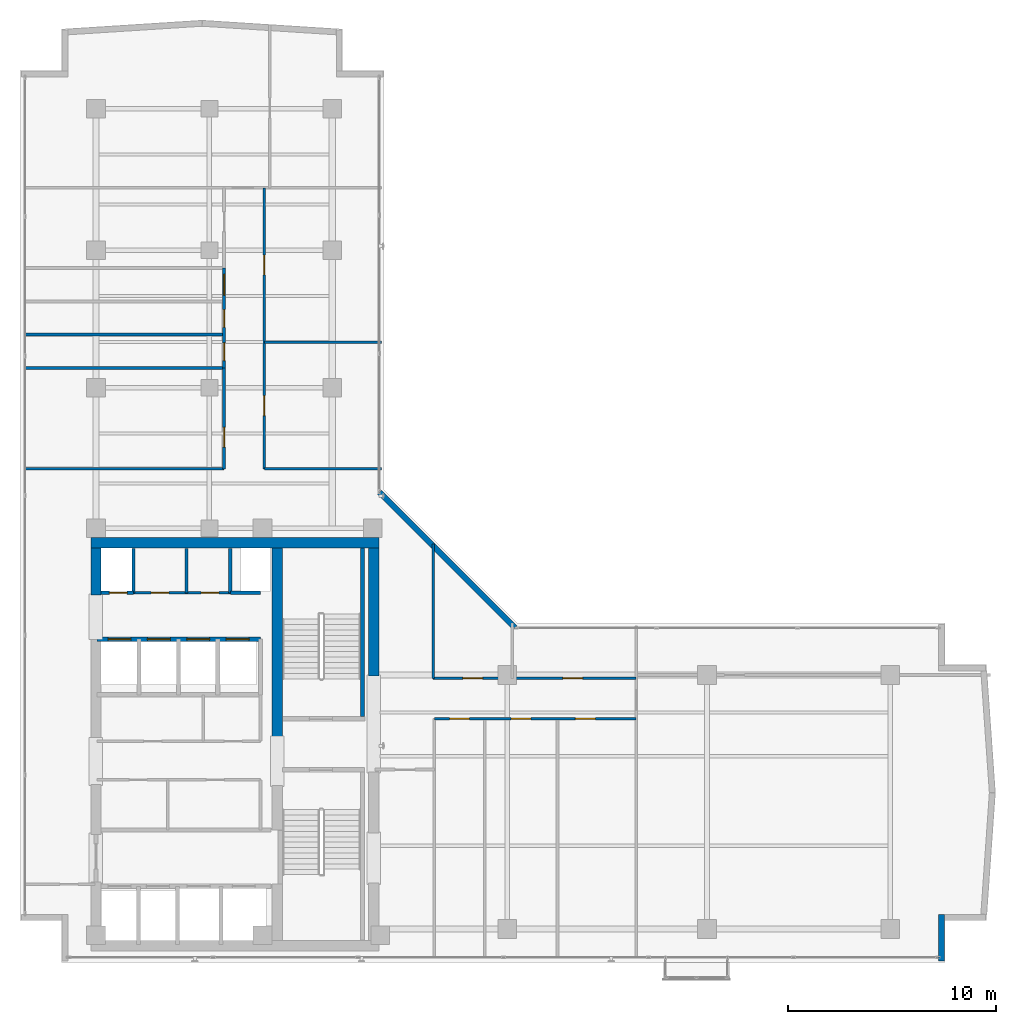
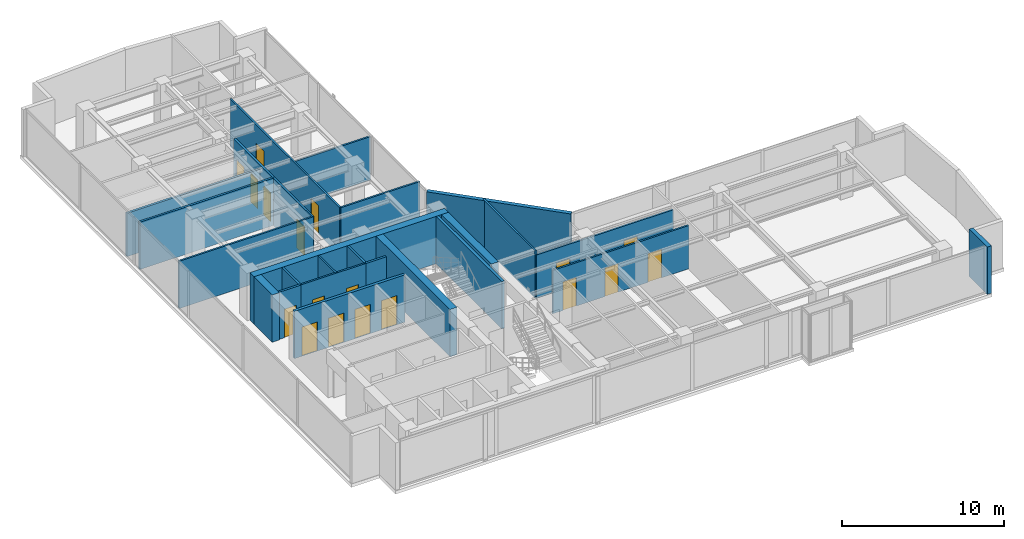
# One storey, part 18 of 24: 25 walls, 18 doors, 18 openings.
"""IFC4 building model written with IfcOpenShell, lengths in metres."""

from ifc_helpers import new_model, si_unit, direction, frame, frame_2d, origin, place, context, subcontext, project, spatial, rectangle, extrude, material, layer, layer_set, type_object, element, fill, save


model = new_model("IFC4")

# Units and contexts
model_context = context("Model", 3, precision=1e-05, world=origin(), true_north=direction((0.0, 1.0)))
body_context = subcontext(model_context, "Body", "Model", "MODEL_VIEW")
ifc_project = project(units=[si_unit("LENGTHUNIT", "METRE"), si_unit("AREAUNIT", "SQUARE_METRE"), si_unit("VOLUMEUNIT", "CUBIC_METRE"), si_unit("PLANEANGLEUNIT", "RADIAN"), si_unit("MASSUNIT", "GRAM", prefix="KILO")], contexts=[model_context])

# Site, building, storey
site_placement = place(None, origin())
site = spatial("IfcSite", under=ifc_project, at=site_placement, CompositionType="ELEMENT")
building_placement = place(site_placement, origin())
building = spatial("IfcBuilding", under=site, at=building_placement, Name="Kolvaren Waterfront Exchange", CompositionType="ELEMENT")
storey_placement = place(building_placement, frame((0.0, 0.0, 300.800048828125)))
storey = spatial("IfcBuildingStorey", under=building, at=storey_placement, Name="L77", CompositionType="ELEMENT", Elevation=300.800048828125)

# Walls
ifc_material_1 = material(Name="Precast concrete C40/50", Category="concrete")
ifc_layer_1 = layer(ifc_material_1, 0.280029296875, Name="Precast concrete C40/50")
ifc_layer_set_1 = layer_set([ifc_layer_1], Name="Precast concrete C40/50")
wall_type_1 = type_object("IfcWallType", Name="ARC-EXT-TERR-280", PredefinedType="SOLIDWALL", material=ifc_layer_set_1)
wall_1_placement = place(storey_placement, frame((48.071533203125, 3.659912109375, 0.0), z_axis=(0.0, 0.0, 1.0), x_axis=(0.0, 1.0, 0.0)))
element("IfcWall", 1, at=wall_1_placement, inside=storey, type_object=wall_type_1, Name="L77 notched corner spandrel pier SE-A", PredefinedType="SOLIDWALL", context=body_context, shape_type="SweptSolid", body=[
    extrude(rectangle(XDim=2.239990234375, YDim=0.280029296875, at=frame_2d((1.1201171875, 0.0))), origin(), (0.0, 0.0, 1.0), 3.56005859375),
])
wall_2_placement = place(storey_placement, frame((27.57958984375, 19.669677734375, 0.0), z_axis=(0.0, 0.0, 1.0), x_axis=(-0.707106781187, 0.707106781187, 0.0)))
element("IfcWall", 2, at=wall_2_placement, inside=storey, type_object=wall_type_1, Name="L77 notched corner spandrel pier ELBOW", PredefinedType="SOLIDWALL", context=body_context, shape_type="SweptSolid", body=[
    extrude(rectangle(XDim=9.20654296875, YDim=0.280029296875, at=frame_2d((4.603271484375, 0.0))), origin(), (0.0, 0.0, 1.0), 3.56005859375),
])

# Wall, openings, doors
ifc_material_2 = material(Name="Acoustic gypsum steel stud", Category="steel")
ifc_layer_2 = layer(ifc_material_2, 0.125, Name="Acoustic gypsum steel stud")
ifc_layer_set_2 = layer_set([ifc_layer_2], Name="Acoustic gypsum steel stud")
wall_type_2 = type_object("IfcWallType", Name="ARC-PART-125", PredefinedType="PARTITIONING", material=ifc_layer_set_2)
wall_3_placement = place(storey_placement, frame((9.25, 21.35009765625, 0.0), z_axis=(0.0, 0.0, 1.0), x_axis=(1.0, 0.0, 0.0)))
wall_3 = element("IfcWall", 3, at=wall_3_placement, inside=storey, type_object=wall_type_2, Name="L77 interior wall PW-L77-SVC-HI-S", PredefinedType="PARTITIONING", context=body_context, shape_type="SweptSolid", body=[
    extrude(rectangle(XDim=4.64990234375, YDim=0.125, at=frame_2d((2.324951171875, 0.0))), origin(), (0.0, 0.0, 1.0), 3.56005859375),
])
opening_1_placement = place(wall_3_placement, frame((0.85009765625, 0.0, 0.0)))
opening_1 = element("IfcOpeningElement", 4, at=opening_1_placement, cuts=wall_3, Name="Opening D01", PredefinedType="OPENING", context=body_context, shape_type="SweptSolid", body=[
    extrude(rectangle(XDim=0.85009765625, YDim=2.14990234375, at=frame_2d((0.425048828125, 1.074951171875))), frame((0.0, 0.072509765625, 0.0), z_axis=(0.0, -1.0, 0.0), x_axis=(1.0, 0.0, 0.0)), (0.0, 0.0, 1.0), 0.14501953125),
])
opening_2_placement = place(wall_3_placement, frame((3.25, 0.0, 0.0)))
opening_2 = element("IfcOpeningElement", 5, at=opening_2_placement, cuts=wall_3, Name="Opening D01", PredefinedType="OPENING", context=body_context, shape_type="SweptSolid", body=[
    extrude(rectangle(XDim=0.85009765625, YDim=2.14990234375, at=frame_2d((0.425048828125, 1.074951171875))), frame((0.0, 0.072509765625, 0.0), z_axis=(0.0, -1.0, 0.0), x_axis=(1.0, 0.0, 0.0)), (0.0, 0.0, 1.0), 0.14501953125),
])
ifc_material_3 = material(Name="Oak veneer timber leaf", Category="wood")
door_type_1 = type_object("IfcDoorType", Name="ARC-DR-900", OperationType="NOTDEFINED", PredefinedType="DOOR", material=ifc_material_3)
door_1_placement = place(opening_1_placement, origin())
door_1 = element("IfcDoor", 6, at=door_1_placement, inside=storey, type_object=door_type_1, Name="L77 door DR-L77-SVC-DR-1 (D01)", OperationType="SINGLE_SWING_RIGHT", OverallHeight=2.14990234375, OverallWidth=0.85009765625, PredefinedType="DOOR", context=body_context, shape_type="SweptSolid", body=[
    extrude(rectangle(XDim=0.85009765625, YDim=2.14990234375, at=frame_2d((0.425048828125, 1.074951171875))), frame((0.0, 0.02490234375, 0.0), z_axis=(0.0, -1.0, 0.0), x_axis=(1.0, 0.0, 0.0)), (0.0, 0.0, 1.0), 0.050048828125),
])
fill(opening_1, door_1)
door_2_placement = place(opening_2_placement, origin())
door_2 = element("IfcDoor", 7, at=door_2_placement, inside=storey, type_object=door_type_1, Name="L77 door DR-L77-SVC-DR-2 (D01)", OperationType="SINGLE_SWING_LEFT", OverallHeight=2.14990234375, OverallWidth=0.85009765625, PredefinedType="DOOR", context=body_context, shape_type="SweptSolid", body=[
    extrude(rectangle(XDim=0.85009765625, YDim=2.14990234375, at=frame_2d((0.425048828125, 1.074951171875))), frame((0.0, 0.02490234375, 0.0), z_axis=(0.0, -1.0, 0.0), x_axis=(1.0, 0.0, 0.0)), (0.0, 0.0, 1.0), 0.050048828125),
])
fill(opening_2, door_2)

# Wall
wall_4_placement = place(storey_placement, frame((11.800048828125, 21.35009765625, 0.0), z_axis=(0.0, 0.0, 1.0), x_axis=(0.0, 1.0, 0.0)))
element("IfcWall", 8, at=wall_4_placement, inside=storey, type_object=wall_type_2, Name="L77 interior wall PW-L77-SVC-HI-M", PredefinedType="PARTITIONING", context=body_context, shape_type="SweptSolid", body=[
    extrude(rectangle(XDim=2.1298828125, YDim=0.125, at=frame_2d((1.06494140625, 0.0))), origin(), (0.0, 0.0, 1.0), 3.56005859375),
])

# Wall, opening, door
wall_5_placement = place(storey_placement, frame((13.60009765625, 27.300048828125, 0.0), z_axis=(0.0, 0.0, 1.0), x_axis=(0.0, 1.0, 0.0)))
wall_5 = element("IfcWall", 9, at=wall_5_placement, inside=storey, type_object=wall_type_2, Name="L77 interior wall PW-L77-PREWC-E", PredefinedType="PARTITIONING", context=body_context, shape_type="SweptSolid", body=[
    extrude(rectangle(XDim=4.849853515625, YDim=0.125, at=frame_2d((2.4248046875, 0.0))), origin(), (0.0, 0.0, 1.0), 3.56005859375),
])
opening_3_placement = place(wall_5_placement, frame((1.050048828125, 0.0, 0.0)))
opening_3 = element("IfcOpeningElement", 10, at=opening_3_placement, cuts=wall_5, Name="Opening D02", PredefinedType="OPENING", context=body_context, shape_type="SweptSolid", body=[
    extrude(rectangle(XDim=0.949951171875, YDim=2.14990234375, at=frame_2d((0.47509765625, 1.074951171875))), frame((0.0, 0.072509765625, 0.0), z_axis=(0.0, -1.0, 0.0), x_axis=(1.0, 0.0, 0.0)), (0.0, 0.0, 1.0), 0.14501953125),
])
ifc_material_4 = material(Name="Oak veneer acoustic timber", Category="wood")
door_type_2 = type_object("IfcDoorType", Name="ARC-DR-950", OperationType="NOTDEFINED", PredefinedType="DOOR", material=ifc_material_4)
door_3_placement = place(opening_3_placement, origin())
door_3 = element("IfcDoor", 11, at=door_3_placement, inside=storey, type_object=door_type_2, Name="L77 door DR-L77-PREWC-D (D02)", OperationType="SINGLE_SWING_RIGHT", OverallHeight=2.14990234375, OverallWidth=0.949951171875, PredefinedType="DOOR", context=body_context, shape_type="SweptSolid", body=[
    extrude(rectangle(XDim=0.949951171875, YDim=2.14990234375, at=frame_2d((0.47509765625, 1.074951171875))), frame((0.0, 0.02490234375, 0.0), z_axis=(0.0, -1.0, 0.0), x_axis=(1.0, 0.0, 0.0)), (0.0, 0.0, 1.0), 0.050048828125),
])
fill(opening_3, door_3)

# Wall
wall_6_placement = place(storey_placement, frame((4.0400390625, 27.300048828125, 0.0), z_axis=(0.0, 0.0, 1.0), x_axis=(1.0, 0.0, 0.0)))
element("IfcWall", 12, at=wall_6_placement, inside=storey, type_object=wall_type_2, Name="L77 interior wall PW-L77-PREWC-S", PredefinedType="PARTITIONING", context=body_context, shape_type="SweptSolid", body=[
    extrude(rectangle(XDim=9.56005859375, YDim=0.125, at=frame_2d((4.780029296875, 0.0))), origin(), (0.0, 0.0, 1.0), 3.56005859375),
])

# Wall, openings, doors
wall_7_placement = place(storey_placement, frame((23.699951171875, 15.300048828125, 0.0), z_axis=(0.0, 0.0, 1.0), x_axis=(1.0, 0.0, 0.0)))
wall_7 = element("IfcWall", 13, at=wall_7_placement, inside=storey, type_object=wall_type_2, Name="L77 interior wall PW-L77-ES-CORR", PredefinedType="PARTITIONING", context=body_context, shape_type="SweptSolid", body=[
    extrude(rectangle(XDim=9.699951171875, YDim=0.125, at=frame_2d((4.85009765625, 0.0))), origin(), (0.0, 0.0, 1.0), 3.260009765625),
])
opening_4_placement = place(wall_7_placement, frame((0.735107421875, 0.0, 0.0)))
opening_4 = element("IfcOpeningElement", 14, at=opening_4_placement, cuts=wall_7, Name="Opening D02", PredefinedType="OPENING", context=body_context, shape_type="SweptSolid", body=[
    extrude(rectangle(XDim=0.949951171875, YDim=2.14990234375, at=frame_2d((0.47509765625, 1.074951171875))), frame((0.0, 0.072509765625, 0.0), z_axis=(0.0, -1.0, 0.0), x_axis=(1.0, 0.0, 0.0)), (0.0, 0.0, 1.0), 0.14501953125),
])
opening_5_placement = place(wall_7_placement, frame((3.695068359375, 0.0, 0.0)))
opening_5 = element("IfcOpeningElement", 15, at=opening_5_placement, cuts=wall_7, Name="Opening D02", PredefinedType="OPENING", context=body_context, shape_type="SweptSolid", body=[
    extrude(rectangle(XDim=0.949951171875, YDim=2.14990234375, at=frame_2d((0.47509765625, 1.074951171875))), frame((0.0, 0.072509765625, 0.0), z_axis=(0.0, -1.0, 0.0), x_axis=(1.0, 0.0, 0.0)), (0.0, 0.0, 1.0), 0.14501953125),
])
opening_6_placement = place(wall_7_placement, frame((6.782958984375, 0.0, 0.0)))
opening_6 = element("IfcOpeningElement", 16, at=opening_6_placement, cuts=wall_7, Name="Opening D02", PredefinedType="OPENING", context=body_context, shape_type="SweptSolid", body=[
    extrude(rectangle(XDim=0.949951171875, YDim=2.14990234375, at=frame_2d((0.47509765625, 1.074951171875))), frame((0.0, 0.072509765625, 0.0), z_axis=(0.0, -1.0, 0.0), x_axis=(1.0, 0.0, 0.0)), (0.0, 0.0, 1.0), 0.14501953125),
])
door_4_placement = place(opening_4_placement, origin())
door_4 = element("IfcDoor", 17, at=door_4_placement, inside=storey, type_object=door_type_2, Name="L77 door DR-L77-ES-D-1 (D02)", OperationType="SINGLE_SWING_RIGHT", OverallHeight=2.14990234375, OverallWidth=0.949951171875, PredefinedType="DOOR", context=body_context, shape_type="SweptSolid", body=[
    extrude(rectangle(XDim=0.949951171875, YDim=2.14990234375, at=frame_2d((0.47509765625, 1.074951171875))), frame((0.0, 0.02490234375, 0.0), z_axis=(0.0, -1.0, 0.0), x_axis=(1.0, 0.0, 0.0)), (0.0, 0.0, 1.0), 0.050048828125),
])
fill(opening_4, door_4)
door_5_placement = place(opening_5_placement, origin())
door_5 = element("IfcDoor", 18, at=door_5_placement, inside=storey, type_object=door_type_2, Name="L77 door DR-L77-ES-D-2 (D02)", OperationType="SINGLE_SWING_LEFT", OverallHeight=2.14990234375, OverallWidth=0.949951171875, PredefinedType="DOOR", context=body_context, shape_type="SweptSolid", body=[
    extrude(rectangle(XDim=0.949951171875, YDim=2.14990234375, at=frame_2d((0.47509765625, 1.074951171875))), frame((0.0, 0.02490234375, 0.0), z_axis=(0.0, -1.0, 0.0), x_axis=(1.0, 0.0, 0.0)), (0.0, 0.0, 1.0), 0.050048828125),
])
fill(opening_5, door_5)
door_6_placement = place(opening_6_placement, origin())
door_6 = element("IfcDoor", 19, at=door_6_placement, inside=storey, type_object=door_type_2, Name="L77 door DR-L77-ES-D-3 (D02)", OperationType="SINGLE_SWING_RIGHT", OverallHeight=2.14990234375, OverallWidth=0.949951171875, PredefinedType="DOOR", context=body_context, shape_type="SweptSolid", body=[
    extrude(rectangle(XDim=0.949951171875, YDim=2.14990234375, at=frame_2d((0.47509765625, 1.074951171875))), frame((0.0, 0.02490234375, 0.0), z_axis=(0.0, -1.0, 0.0), x_axis=(1.0, 0.0, 0.0)), (0.0, 0.0, 1.0), 0.050048828125),
])
fill(opening_6, door_6)

# Wall
wall_8_placement = place(storey_placement, frame((23.64990234375, 17.239990234375, 0.0), z_axis=(0.0, 0.0, 1.0), x_axis=(0.0, 1.0, 0.0)))
element("IfcWall", 20, at=wall_8_placement, inside=storey, type_object=wall_type_2, Name="L77 interior wall PW-L77-EN-W0", PredefinedType="PARTITIONING", context=body_context, shape_type="SweptSolid", body=[
    extrude(rectangle(XDim=6.45947265625, YDim=0.125, at=frame_2d((3.229736328125, 0.0))), origin(), (0.0, 0.0, 1.0), 3.56005859375),
])

# Wall, openings, doors
wall_9_placement = place(storey_placement, frame((23.64990234375, 17.239990234375, 0.0), z_axis=(0.0, 0.0, 1.0), x_axis=(1.0, 0.0, 0.0)))
wall_9 = element("IfcWall", 21, at=wall_9_placement, inside=storey, type_object=wall_type_2, Name="L77 interior wall PW-L77-EN-CORR", PredefinedType="PARTITIONING", context=body_context, shape_type="SweptSolid", body=[
    extrude(rectangle(XDim=9.75, YDim=0.125, at=frame_2d((4.875, 0.0))), origin(), (0.0, 0.0, 1.0), 3.260009765625),
])
opening_7_placement = place(wall_9_placement, frame((1.425048828125, 0.0, 0.0)))
opening_7 = element("IfcOpeningElement", 22, at=opening_7_placement, cuts=wall_9, Name="Opening D02", PredefinedType="OPENING", context=body_context, shape_type="SweptSolid", body=[
    extrude(rectangle(XDim=0.949951171875, YDim=2.14990234375, at=frame_2d((0.47509765625, 1.074951171875))), frame((0.0, 0.072509765625, 0.0), z_axis=(0.0, -1.0, 0.0), x_axis=(1.0, 0.0, 0.0)), (0.0, 0.0, 1.0), 0.14501953125),
])
opening_8_placement = place(wall_9_placement, frame((6.2275390625, 0.0, 0.0)))
opening_8 = element("IfcOpeningElement", 23, at=opening_8_placement, cuts=wall_9, Name="Opening D02", PredefinedType="OPENING", context=body_context, shape_type="SweptSolid", body=[
    extrude(rectangle(XDim=0.949951171875, YDim=2.14990234375, at=frame_2d((0.47509765625, 1.074951171875))), frame((0.0, 0.072509765625, 0.0), z_axis=(0.0, -1.0, 0.0), x_axis=(1.0, 0.0, 0.0)), (0.0, 0.0, 1.0), 0.14501953125),
])
door_7_placement = place(opening_7_placement, origin())
door_7 = element("IfcDoor", 24, at=door_7_placement, inside=storey, type_object=door_type_2, Name="L77 door DR-L77-EN-D-1 (D02)", OperationType="SINGLE_SWING_LEFT", OverallHeight=2.14990234375, OverallWidth=0.949951171875, PredefinedType="DOOR", context=body_context, shape_type="SweptSolid", body=[
    extrude(rectangle(XDim=0.949951171875, YDim=2.14990234375, at=frame_2d((0.47509765625, 1.074951171875))), frame((0.0, 0.02490234375, 0.0), z_axis=(0.0, -1.0, 0.0), x_axis=(1.0, 0.0, 0.0)), (0.0, 0.0, 1.0), 0.050048828125),
])
fill(opening_7, door_7)
door_8_placement = place(opening_8_placement, origin())
door_8 = element("IfcDoor", 25, at=door_8_placement, inside=storey, type_object=door_type_2, Name="L77 door DR-L77-EN-D-2 (D02)", OperationType="SINGLE_SWING_RIGHT", OverallHeight=2.14990234375, OverallWidth=0.949951171875, PredefinedType="DOOR", context=body_context, shape_type="SweptSolid", body=[
    extrude(rectangle(XDim=0.949951171875, YDim=2.14990234375, at=frame_2d((0.47509765625, 1.074951171875))), frame((0.0, 0.02490234375, 0.0), z_axis=(0.0, -1.0, 0.0), x_axis=(1.0, 0.0, 0.0)), (0.0, 0.0, 1.0), 0.050048828125),
])
fill(opening_8, door_8)

# Wall
wall_10_placement = place(storey_placement, frame((15.5400390625, 27.300048828125, 0.0), z_axis=(0.0, 0.0, 1.0), x_axis=(1.0, 0.0, 0.0)))
element("IfcWall", 26, at=wall_10_placement, inside=storey, type_object=wall_type_2, Name="L77 interior wall PW-L77-NE-S0", PredefinedType="PARTITIONING", context=body_context, shape_type="SweptSolid", body=[
    extrude(rectangle(XDim=5.619873046875, YDim=0.125, at=frame_2d((2.81005859375, 0.0))), origin(), (0.0, 0.0, 1.0), 3.56005859375),
])

# Wall, openings, doors
wall_11_placement = place(storey_placement, frame((15.5400390625, 27.300048828125, 0.0), z_axis=(0.0, 0.0, 1.0), x_axis=(0.0, 1.0, 0.0)))
wall_11 = element("IfcWall", 27, at=wall_11_placement, inside=storey, type_object=wall_type_2, Name="L77 interior wall PW-L77-NE-CORR", PredefinedType="PARTITIONING", context=body_context, shape_type="SweptSolid", body=[
    extrude(rectangle(XDim=13.5, YDim=0.125, at=frame_2d((6.75, 0.0))), origin(), (0.0, 0.0, 1.0), 3.56005859375),
])
opening_9_placement = place(wall_11_placement, frame((2.56494140625, 0.0, 0.0)))
opening_9 = element("IfcOpeningElement", 28, at=opening_9_placement, cuts=wall_11, Name="Opening D02", PredefinedType="OPENING", context=body_context, shape_type="SweptSolid", body=[
    extrude(rectangle(XDim=0.949951171875, YDim=2.14990234375, at=frame_2d((0.47509765625, 1.074951171875))), frame((0.0, 0.072509765625, 0.0), z_axis=(0.0, -1.0, 0.0), x_axis=(1.0, 0.0, 0.0)), (0.0, 0.0, 1.0), 0.14501953125),
])
opening_10_placement = place(wall_11_placement, frame((9.31494140625, 0.0, 0.0)))
opening_10 = element("IfcOpeningElement", 29, at=opening_10_placement, cuts=wall_11, Name="Opening D02", PredefinedType="OPENING", context=body_context, shape_type="SweptSolid", body=[
    extrude(rectangle(XDim=0.949951171875, YDim=2.14990234375, at=frame_2d((0.47509765625, 1.074951171875))), frame((0.0, 0.072509765625, 0.0), z_axis=(0.0, -1.0, 0.0), x_axis=(1.0, 0.0, 0.0)), (0.0, 0.0, 1.0), 0.14501953125),
])
door_9_placement = place(opening_9_placement, origin())
door_9 = element("IfcDoor", 30, at=door_9_placement, inside=storey, type_object=door_type_2, Name="L77 door DR-L77-NE-D-1 (D02)", OperationType="SINGLE_SWING_RIGHT", OverallHeight=2.14990234375, OverallWidth=0.949951171875, PredefinedType="DOOR", context=body_context, shape_type="SweptSolid", body=[
    extrude(rectangle(XDim=0.949951171875, YDim=2.14990234375, at=frame_2d((0.47509765625, 1.074951171875))), frame((0.0, 0.02490234375, 0.0), z_axis=(0.0, -1.0, 0.0), x_axis=(1.0, 0.0, 0.0)), (0.0, 0.0, 1.0), 0.050048828125),
])
fill(opening_9, door_9)
door_10_placement = place(opening_10_placement, origin())
door_10 = element("IfcDoor", 31, at=door_10_placement, inside=storey, type_object=door_type_2, Name="L77 door DR-L77-NE-D-2 (D02)", OperationType="SINGLE_SWING_LEFT", OverallHeight=2.14990234375, OverallWidth=0.949951171875, PredefinedType="DOOR", context=body_context, shape_type="SweptSolid", body=[
    extrude(rectangle(XDim=0.949951171875, YDim=2.14990234375, at=frame_2d((0.47509765625, 1.074951171875))), frame((0.0, 0.02490234375, 0.0), z_axis=(0.0, -1.0, 0.0), x_axis=(1.0, 0.0, 0.0)), (0.0, 0.0, 1.0), 0.050048828125),
])
fill(opening_10, door_10)

# Walls
wall_12_placement = place(storey_placement, frame((15.5400390625, 33.3798828125, 0.0), z_axis=(0.0, 0.0, 1.0), x_axis=(1.0, 0.0, 0.0)))
element("IfcWall", 32, at=wall_12_placement, inside=storey, type_object=wall_type_2, Name="L77 interior wall PW-L77-NE-DIV-1", PredefinedType="PARTITIONING", context=body_context, shape_type="SweptSolid", body=[
    extrude(rectangle(XDim=5.619873046875, YDim=0.125, at=frame_2d((2.81005859375, 0.0))), origin(), (0.0, 0.0, 1.0), 3.260009765625),
])
ifc_material_5 = material(Name="Gypsum fireboard steel stud", Category="steel")
ifc_layer_3 = layer(ifc_material_5, 0.14990234375, Name="Gypsum fireboard steel stud")
ifc_layer_set_3 = layer_set([ifc_layer_3], Name="Gypsum fireboard steel stud")
wall_type_3 = type_object("IfcWallType", Name="ARC-PART-150", PredefinedType="PARTITIONING", material=ifc_layer_set_3)
for number, where, z_axis, x_axis, name in (
    (33, (9.25, 21.35009765625, 0.0), (0.0, 0.0, 1.0), (0.0, 1.0, 0.0), "L77 interior wall PW-L77-SVC-R1"),
    (34, (13.89990234375, 21.35009765625, 0.0), (0.0, 0.0, 1.0), (0.0, 1.0, 0.0), "L77 interior wall PW-L77-SVC-R2"),
):
    element("IfcWall", number, at=place(storey_placement, frame(where, z_axis=z_axis, x_axis=x_axis)), inside=storey, type_object=wall_type_3, Name=name, PredefinedType="PARTITIONING", context=body_context, shape_type="SweptSolid", body=[
        extrude(rectangle(XDim=2.1298828125, YDim=0.14990234375, at=frame_2d((1.06494140625, 0.0))), origin(), (0.0, 0.0, 1.0), 3.56005859375),
    ])

# Wall, opening, door
wall_13_placement = place(storey_placement, frame((7.699951171875, 21.35009765625, 0.0), z_axis=(0.0, 0.0, 1.0), x_axis=(1.0, 0.0, 0.0)))
wall_13 = element("IfcWall", 35, at=wall_13_placement, inside=storey, type_object=wall_type_3, Name="L77 interior wall PW-L77-SVC-RE-S", PredefinedType="PARTITIONING", context=body_context, shape_type="SweptSolid", body=[
    extrude(rectangle(XDim=1.550048828125, YDim=0.14990234375, at=frame_2d((0.77490234375, 0.0))), origin(), (0.0, 0.0, 1.0), 3.56005859375),
])
opening_11_placement = place(wall_13_placement, frame((0.389892578125, 0.0, 0.0)))
opening_11 = element("IfcOpeningElement", 36, at=opening_11_placement, cuts=wall_13, Name="Opening FD1", PredefinedType="OPENING", context=body_context, shape_type="SweptSolid", body=[
    extrude(rectangle(XDim=0.85009765625, YDim=2.14990234375, at=frame_2d((0.425048828125, 1.074951171875))), frame((0.0, 0.0849609375, 0.0), z_axis=(0.0, -1.0, 0.0), x_axis=(1.0, 0.0, 0.0)), (0.0, 0.0, 1.0), 0.169921875),
])
ifc_material_6 = material(Name="Pressed steel fire leaf", Category="steel")
door_type_3 = type_object("IfcDoorType", Name="ARC-FD-900", OperationType="NOTDEFINED", PredefinedType="DOOR", material=ifc_material_6)
door_11_placement = place(opening_11_placement, origin())
door_11 = element("IfcDoor", 37, at=door_11_placement, inside=storey, type_object=door_type_3, Name="L77 door DR-L77-RISER-E-DR (FD1)", OperationType="SINGLE_SWING_LEFT", OverallHeight=2.14990234375, OverallWidth=0.85009765625, PredefinedType="DOOR", context=body_context, shape_type="SweptSolid", body=[
    extrude(rectangle(XDim=0.85009765625, YDim=2.14990234375, at=frame_2d((0.425048828125, 1.074951171875))), frame((0.0, 0.02490234375, 0.0), z_axis=(0.0, -1.0, 0.0), x_axis=(1.0, 0.0, 0.0)), (0.0, 0.0, 1.0), 0.050048828125),
])
fill(opening_11, door_11)

# Walls
wall_14_placement = place(storey_placement, frame((13.89990234375, 21.35009765625, 0.0), z_axis=(0.0, 0.0, 1.0), x_axis=(1.0, 0.0, 0.0)))
element("IfcWall", 38, at=wall_14_placement, inside=storey, type_object=wall_type_3, Name="L77 interior wall PW-L77-SVC-RP-S", PredefinedType="PARTITIONING", context=body_context, shape_type="SweptSolid", body=[
    extrude(rectangle(XDim=1.4501953125, YDim=0.14990234375, at=frame_2d((0.72509765625, 0.0))), origin(), (0.0, 0.0, 1.0), 3.56005859375),
])
ifc_material_7 = material(Name="Moisture-resistant gypsum stud")
ifc_layer_4 = layer(ifc_material_7, 0.14990234375, Name="Moisture-resistant gypsum stud")
ifc_layer_set_4 = layer_set([ifc_layer_4], Name="Moisture-resistant gypsum stud")
wall_type_4 = type_object("IfcWallType", Name="ARC-PLUMB-150", PredefinedType="PLUMBINGWALL", material=ifc_layer_set_4)
wall_15_placement = place(storey_placement, frame((4.0400390625, 32.14990234375, 0.0), z_axis=(0.0, 0.0, 1.0), x_axis=(1.0, 0.0, 0.0)))
element("IfcWall", 39, at=wall_15_placement, inside=storey, type_object=wall_type_4, Name="L77 interior wall PW-L77-WC-0", PredefinedType="PLUMBINGWALL", context=body_context, shape_type="SweptSolid", body=[
    extrude(rectangle(XDim=9.56005859375, YDim=0.14990234375, at=frame_2d((4.780029296875, 0.0))), origin(), (0.0, 0.0, 1.0), 3.56005859375),
])

# Wall, openings, doors
wall_16_placement = place(storey_placement, frame((13.60009765625, 32.14990234375, 0.0), z_axis=(0.0, 0.0, 1.0), x_axis=(0.0, 1.0, 0.0)))
wall_16 = element("IfcWall", 40, at=wall_16_placement, inside=storey, type_object=wall_type_4, Name="L77 interior wall PW-L77-WC-E", PredefinedType="PLUMBINGWALL", context=body_context, shape_type="SweptSolid", body=[
    extrude(rectangle(XDim=4.800048828125, YDim=0.14990234375, at=frame_2d((2.39990234375, 0.0))), origin(), (0.0, 0.0, 1.0), 3.56005859375),
])
opening_12_placement = place(wall_16_placement, frame((0.35009765625, 0.0, 0.0)))
opening_12 = element("IfcOpeningElement", 41, at=opening_12_placement, cuts=wall_16, Name="Opening D01", PredefinedType="OPENING", context=body_context, shape_type="SweptSolid", body=[
    extrude(rectangle(XDim=0.85009765625, YDim=2.14990234375, at=frame_2d((0.425048828125, 1.074951171875))), frame((0.0, 0.0849609375, 0.0), z_axis=(0.0, -1.0, 0.0), x_axis=(1.0, 0.0, 0.0)), (0.0, 0.0, 1.0), 0.169921875),
])
opening_13_placement = place(wall_16_placement, frame((1.949951171875, 0.0, 0.0)))
opening_13 = element("IfcOpeningElement", 42, at=opening_13_placement, cuts=wall_16, Name="Opening D01", PredefinedType="OPENING", context=body_context, shape_type="SweptSolid", body=[
    extrude(rectangle(XDim=0.85009765625, YDim=2.14990234375, at=frame_2d((0.425048828125, 1.074951171875))), frame((0.0, 0.0849609375, 0.0), z_axis=(0.0, -1.0, 0.0), x_axis=(1.0, 0.0, 0.0)), (0.0, 0.0, 1.0), 0.169921875),
])
opening_14_placement = place(wall_16_placement, frame((3.5, 0.0, 0.0)))
opening_14 = element("IfcOpeningElement", 43, at=opening_14_placement, cuts=wall_16, Name="Opening D03", PredefinedType="OPENING", context=body_context, shape_type="SweptSolid", body=[
    extrude(rectangle(XDim=1.0, YDim=2.199951171875, at=frame_2d((0.5, 1.10009765625))), frame((0.0, 0.0849609375, 0.0), z_axis=(0.0, -1.0, 0.0), x_axis=(1.0, 0.0, 0.0)), (0.0, 0.0, 1.0), 0.169921875),
])
ifc_material_8 = material(Name="Oak veneer accessible timber", Category="wood")
door_type_4 = type_object("IfcDoorType", Name="ARC-DR-1000", OperationType="NOTDEFINED", PredefinedType="DOOR", material=ifc_material_8)
door_12_placement = place(opening_14_placement, origin())
door_12 = element("IfcDoor", 44, at=door_12_placement, inside=storey, type_object=door_type_4, Name="L77 door DR-L77-WCA-D (D03)", OperationType="SINGLE_SWING_LEFT", OverallHeight=2.199951171875, OverallWidth=1.0, PredefinedType="DOOR", context=body_context, shape_type="SweptSolid", body=[
    extrude(rectangle(XDim=1.0, YDim=2.199951171875, at=frame_2d((0.5, 1.10009765625))), frame((0.0, 0.02490234375, 0.0), z_axis=(0.0, -1.0, 0.0), x_axis=(1.0, 0.0, 0.0)), (0.0, 0.0, 1.0), 0.050048828125),
])
fill(opening_14, door_12)
door_13_placement = place(opening_12_placement, origin())
door_13 = element("IfcDoor", 45, at=door_13_placement, inside=storey, type_object=door_type_1, Name="L77 door DR-L77-WCM-D (D01)", OperationType="SINGLE_SWING_LEFT", OverallHeight=2.14990234375, OverallWidth=0.85009765625, PredefinedType="DOOR", context=body_context, shape_type="SweptSolid", body=[
    extrude(rectangle(XDim=0.85009765625, YDim=2.14990234375, at=frame_2d((0.425048828125, 1.074951171875))), frame((0.0, 0.02490234375, 0.0), z_axis=(0.0, -1.0, 0.0), x_axis=(1.0, 0.0, 0.0)), (0.0, 0.0, 1.0), 0.050048828125),
])
fill(opening_12, door_13)
door_14_placement = place(opening_13_placement, origin())
door_14 = element("IfcDoor", 46, at=door_14_placement, inside=storey, type_object=door_type_1, Name="L77 door DR-L77-WCF-D (D01)", OperationType="SINGLE_SWING_RIGHT", OverallHeight=2.14990234375, OverallWidth=0.85009765625, PredefinedType="DOOR", context=body_context, shape_type="SweptSolid", body=[
    extrude(rectangle(XDim=0.85009765625, YDim=2.14990234375, at=frame_2d((0.425048828125, 1.074951171875))), frame((0.0, 0.02490234375, 0.0), z_axis=(0.0, -1.0, 0.0), x_axis=(1.0, 0.0, 0.0)), (0.0, 0.0, 1.0), 0.050048828125),
])
fill(opening_13, door_14)

# Walls
wall_17_placement = place(storey_placement, frame((4.0400390625, 33.75, 0.0), z_axis=(0.0, 0.0, 1.0), x_axis=(1.0, 0.0, 0.0)))
element("IfcWall", 47, at=wall_17_placement, inside=storey, type_object=wall_type_4, Name="L77 interior wall PW-L77-WC-1", PredefinedType="PLUMBINGWALL", context=body_context, shape_type="SweptSolid", body=[
    extrude(rectangle(XDim=9.56005859375, YDim=0.14990234375, at=frame_2d((4.780029296875, 0.0))), origin(), (0.0, 0.0, 1.0), 3.260009765625),
])
ifc_material_9 = material(Name="Concrete C40/50", Category="concrete")
ifc_layer_5 = layer(ifc_material_9, 0.199951171875, Name="Concrete C40/50")
ifc_layer_set_5 = layer_set([ifc_layer_5], Name="Concrete C40/50")
wall_type_5 = type_object("IfcWallType", Name="ARC-SHAFT-200", PredefinedType="PARTITIONING", material=ifc_layer_set_5)
wall_18_placement = place(storey_placement, frame((20.260009765625, 15.39990234375, 0.0), z_axis=(0.0, 0.0, 1.0), x_axis=(0.0, 1.0, 0.0)))
element("IfcWall", 48, at=wall_18_placement, inside=storey, type_object=wall_type_5, Name="L77 structural stairwell wall PW-L77-ST2-E", PredefinedType="SHEAR", context=body_context, shape_type="SweptSolid", body=[
    extrude(rectangle(XDim=8.090087890625, YDim=0.199951171875, at=frame_2d((4.044921875, 0.0))), origin(), (0.0, 0.0, 1.0), 3.56005859375),
])

# Wall, openings, doors
wall_19_placement = place(storey_placement, frame((7.5, 19.1201171875, 0.0), z_axis=(0.0, 0.0, 1.0), x_axis=(1.0, 0.0, 0.0)))
wall_19 = element("IfcWall", 49, at=wall_19_placement, inside=storey, type_object=wall_type_5, Name="L77 interior wall PW-L77-PH-N", PredefinedType="PARTITIONING", context=body_context, shape_type="SweptSolid", body=[
    extrude(rectangle(XDim=7.85009765625, YDim=0.199951171875, at=frame_2d((3.925048828125, 0.0))), origin(), (0.0, 0.0, 1.0), 3.56005859375),
])
opening_15_placement = place(wall_19_placement, frame((0.530029296875, 0.0, 0.0)))
opening_15 = element("IfcOpeningElement", 50, at=opening_15_placement, cuts=wall_19, Name="Opening LD2", PredefinedType="OPENING", context=body_context, shape_type="SweptSolid", body=[
    extrude(rectangle(XDim=1.10009765625, YDim=2.199951171875, at=frame_2d((0.550048828125, 1.10009765625))), frame((0.0, 0.10986328125, 0.0), z_axis=(0.0, -1.0, 0.0), x_axis=(1.0, 0.0, 0.0)), (0.0, 0.0, 1.0), 0.219970703125),
])
opening_16_placement = place(wall_19_placement, frame((2.419921875, 0.0, 0.0)))
opening_16 = element("IfcOpeningElement", 51, at=opening_16_placement, cuts=wall_19, Name="Opening LD2", PredefinedType="OPENING", context=body_context, shape_type="SweptSolid", body=[
    extrude(rectangle(XDim=1.10009765625, YDim=2.199951171875, at=frame_2d((0.550048828125, 1.10009765625))), frame((0.0, 0.10986328125, 0.0), z_axis=(0.0, -1.0, 0.0), x_axis=(1.0, 0.0, 0.0)), (0.0, 0.0, 1.0), 0.219970703125),
])
opening_17_placement = place(wall_19_placement, frame((4.31005859375, 0.0, 0.0)))
opening_17 = element("IfcOpeningElement", 52, at=opening_17_placement, cuts=wall_19, Name="Opening LD2", PredefinedType="OPENING", context=body_context, shape_type="SweptSolid", body=[
    extrude(rectangle(XDim=1.10009765625, YDim=2.199951171875, at=frame_2d((0.550048828125, 1.10009765625))), frame((0.0, 0.10986328125, 0.0), z_axis=(0.0, -1.0, 0.0), x_axis=(1.0, 0.0, 0.0)), (0.0, 0.0, 1.0), 0.219970703125),
])
opening_18_placement = place(wall_19_placement, frame((6.199951171875, 0.0, 0.0)))
opening_18 = element("IfcOpeningElement", 53, at=opening_18_placement, cuts=wall_19, Name="Opening LD2", PredefinedType="OPENING", context=body_context, shape_type="SweptSolid", body=[
    extrude(rectangle(XDim=1.10009765625, YDim=2.199951171875, at=frame_2d((0.550048828125, 1.10009765625))), frame((0.0, 0.10986328125, 0.0), z_axis=(0.0, -1.0, 0.0), x_axis=(1.0, 0.0, 0.0)), (0.0, 0.0, 1.0), 0.219970703125),
])
ifc_material_10 = material(Name="Brushed bronze sliding landing door", Category="aluminium")
door_type_5 = type_object("IfcDoorType", Name="ARC-LD-PAX", OperationType="SLIDING_TO_LEFT", PredefinedType="DOOR", material=ifc_material_10)
door_15_placement = place(opening_15_placement, origin())
door_15 = element("IfcDoor", 54, at=door_15_placement, inside=storey, type_object=door_type_5, Name="L77 door LD-L77-PH1 (LD2)", OperationType="SLIDING_TO_LEFT", OverallHeight=2.199951171875, OverallWidth=1.10009765625, PredefinedType="DOOR", context=body_context, shape_type="SweptSolid", body=[
    extrude(rectangle(XDim=1.10009765625, YDim=2.199951171875, at=frame_2d((0.550048828125, 1.10009765625))), frame((0.0, 0.02490234375, 0.0), z_axis=(0.0, -1.0, 0.0), x_axis=(1.0, 0.0, 0.0)), (0.0, 0.0, 1.0), 0.050048828125),
])
fill(opening_15, door_15)
door_16_placement = place(opening_16_placement, origin())
door_16 = element("IfcDoor", 55, at=door_16_placement, inside=storey, type_object=door_type_5, Name="L77 door LD-L77-PH2 (LD2)", OperationType="SLIDING_TO_LEFT", OverallHeight=2.199951171875, OverallWidth=1.10009765625, PredefinedType="DOOR", context=body_context, shape_type="SweptSolid", body=[
    extrude(rectangle(XDim=1.10009765625, YDim=2.199951171875, at=frame_2d((0.550048828125, 1.10009765625))), frame((0.0, 0.02490234375, 0.0), z_axis=(0.0, -1.0, 0.0), x_axis=(1.0, 0.0, 0.0)), (0.0, 0.0, 1.0), 0.050048828125),
])
fill(opening_16, door_16)
door_17_placement = place(opening_17_placement, origin())
door_17 = element("IfcDoor", 56, at=door_17_placement, inside=storey, type_object=door_type_5, Name="L77 door LD-L77-PH3 (LD2)", OperationType="SLIDING_TO_LEFT", OverallHeight=2.199951171875, OverallWidth=1.10009765625, PredefinedType="DOOR", context=body_context, shape_type="SweptSolid", body=[
    extrude(rectangle(XDim=1.10009765625, YDim=2.199951171875, at=frame_2d((0.550048828125, 1.10009765625))), frame((0.0, 0.02490234375, 0.0), z_axis=(0.0, -1.0, 0.0), x_axis=(1.0, 0.0, 0.0)), (0.0, 0.0, 1.0), 0.050048828125),
])
fill(opening_17, door_17)
door_18_placement = place(opening_18_placement, origin())
door_18 = element("IfcDoor", 57, at=door_18_placement, inside=storey, type_object=door_type_5, Name="L77 door LD-L77-PH4 (LD2)", OperationType="SLIDING_TO_LEFT", OverallHeight=2.199951171875, OverallWidth=1.10009765625, PredefinedType="DOOR", context=body_context, shape_type="SweptSolid", body=[
    extrude(rectangle(XDim=1.10009765625, YDim=2.199951171875, at=frame_2d((0.550048828125, 1.10009765625))), frame((0.0, 0.02490234375, 0.0), z_axis=(0.0, -1.0, 0.0), x_axis=(1.0, 0.0, 0.0)), (0.0, 0.0, 1.0), 0.050048828125),
])
fill(opening_18, door_18)

# Walls
ifc_material_11 = material(Name="Concrete C50/60", Category="concrete")
ifc_layer_6 = layer(ifc_material_11, 0.5, Name="Concrete C50/60")
ifc_layer_set_6 = layer_set([ifc_layer_6], Name="Concrete C50/60")
wall_type_6 = type_object("IfcWallType", Name="STR-CWALL-500", PredefinedType="SHEAR", material=ifc_layer_set_6)
wall_20_placement = place(storey_placement, frame((7.199951171875, 23.75, 0.0), z_axis=(0.0, 0.0, 1.0), x_axis=(1.0, 0.0, 0.0)))
element("IfcWall", 58, at=wall_20_placement, inside=storey, type_object=wall_type_6, Name="L77 rear-core shear wall N", PredefinedType="SHEAR", context=body_context, shape_type="SweptSolid", body=[
    extrude(rectangle(XDim=13.85009765625, YDim=0.5, at=frame_2d((6.925048828125, 0.0))), origin(), (0.0, 0.0, 1.0), 3.56005859375),
])
wall_21_placement = place(storey_placement, frame((7.449951171875, 21.239990234375, 0.0), z_axis=(0.0, 0.0, 1.0), x_axis=(0.0, 1.0, 0.0)))
element("IfcWall", 59, at=wall_21_placement, inside=storey, type_object=wall_type_6, Name="L77 rear-core shear wall W3", PredefinedType="SHEAR", context=body_context, shape_type="SweptSolid", body=[
    extrude(rectangle(XDim=2.260009765625, YDim=0.5, at=frame_2d((1.1298828125, 0.0))), origin(), (0.0, 0.0, 1.0), 3.56005859375),
])
wall_22_placement = place(storey_placement, frame((20.800048828125, 17.35009765625, 0.0), z_axis=(0.0, 0.0, 1.0), x_axis=(0.0, 1.0, 0.0)))
element("IfcWall", 60, at=wall_22_placement, inside=storey, type_object=wall_type_6, Name="L77 rear-core shear wall E3", PredefinedType="SHEAR", context=body_context, shape_type="SweptSolid", body=[
    extrude(rectangle(XDim=6.14990234375, YDim=0.5, at=frame_2d((3.074951171875, 0.0))), origin(), (0.0, 0.0, 1.0), 3.56005859375),
])
wall_23_placement = place(storey_placement, frame((16.14990234375, 14.39990234375, 0.0), z_axis=(0.0, 0.0, 1.0), x_axis=(0.0, 1.0, 0.0)))
element("IfcWall", 61, at=wall_23_placement, inside=storey, type_object=wall_type_6, Name="L77 rear-core shear wall M3", PredefinedType="SHEAR", context=body_context, shape_type="SweptSolid", body=[
    extrude(rectangle(XDim=9.10009765625, YDim=0.5, at=frame_2d((4.550048828125, 0.0))), origin(), (0.0, 0.0, 1.0), 3.56005859375),
])

save(model, "model.ifc")
